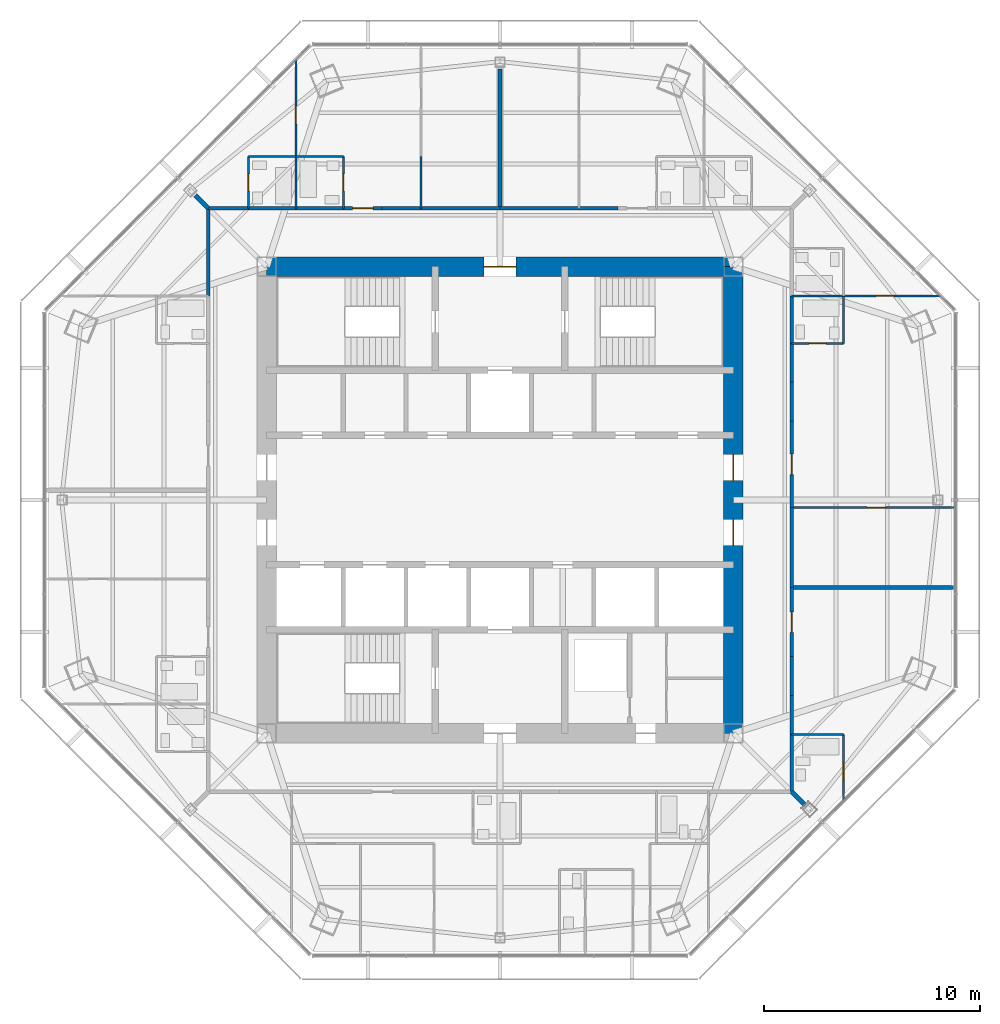
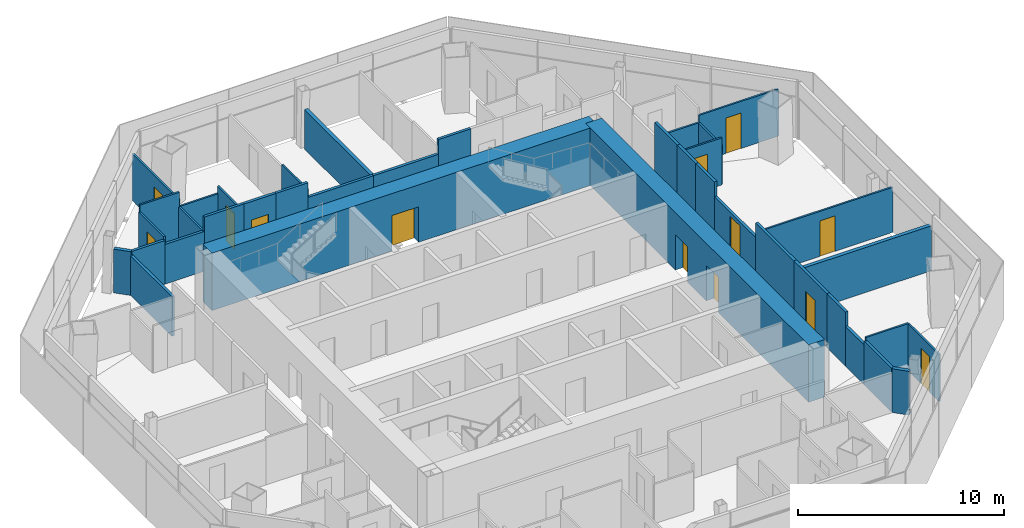
# One storey, part 11 of 14: 38 walls, 13 doors, 13 openings.
"""IFC4 building model written with IfcOpenShell, lengths in metres."""

from ifc_helpers import new_model, si_unit, direction, frame, frame_2d, origin, place, context, subcontext, project, spatial, rectangle, extrude, material, layer, layer_set, type_object, element, fill, save


model = new_model("IFC4")

# Units and contexts
model_context = context("Model", 3, precision=1e-05, world=origin(), true_north=direction((0.0, 1.0)))
body_context = subcontext(model_context, "Body", "Model", "MODEL_VIEW")
ifc_project = project(units=[si_unit("LENGTHUNIT", "METRE"), si_unit("AREAUNIT", "SQUARE_METRE"), si_unit("VOLUMEUNIT", "CUBIC_METRE"), si_unit("PLANEANGLEUNIT", "RADIAN"), si_unit("MASSUNIT", "GRAM", prefix="KILO")], contexts=[model_context])

# Site, building, storey
site_placement = place(None, origin())
site = spatial("IfcSite", under=ifc_project, at=site_placement, CompositionType="ELEMENT")
building_placement = place(site_placement, origin())
building = spatial("IfcBuilding", under=site, at=building_placement, Name="Mashrafa Tower", CompositionType="ELEMENT")
storey_placement = place(building_placement, frame((0.0, 0.0, 244.800048828125)))
storey = spatial("IfcBuildingStorey", under=building, at=storey_placement, Name="L58", CompositionType="ELEMENT", Elevation=244.800048828125)

# Walls
ifc_material_1 = material(Name="Gypsum board on steel studs", Category="steel")
ifc_layer_1 = layer(ifc_material_1, 0.199951171875)
ifc_layer_set_1 = layer_set([ifc_layer_1], Name="Acoustic partition 200 1 hr")
wall_type_1 = type_object("IfcWallType", Name="Acoustic partition 200 1 hr", PredefinedType="PARTITIONING", material=ifc_layer_set_1)
wall_1_placement = place(storey_placement, frame((13.5, -13.5, 0.0), z_axis=(0.0, 0.0, 1.0), x_axis=(0.707106781187, -0.707106781187, 0.0)))
element("IfcWall", 1, at=wall_1_placement, inside=storey, type_object=wall_type_1, Name="Acoustic wall L58-044", PredefinedType="PARTITIONING", context=body_context, shape_type="SweptSolid", body=[
    extrude(rectangle(XDim=0.857666015625, YDim=0.199951171875, at=frame_2d((0.4287109375, 0.0))), origin(), (0.0, 0.0, 1.0), 2.587890625),
])
wall_2_placement = place(storey_placement, frame((21.07177734375, -4.050048828125, 0.0), z_axis=(0.0, 0.0, 1.0), x_axis=(-1.0, 0.0, 0.0)))
element("IfcWall", 2, at=wall_2_placement, inside=storey, type_object=wall_type_1, Name="Acoustic wall L58-045", PredefinedType="PARTITIONING", context=body_context, shape_type="SweptSolid", body=[
    extrude(rectangle(XDim=7.57177734375, YDim=0.199951171875, at=frame_2d((3.785888671875, 0.0))), origin(), (0.0, 0.0, 1.0), 2.66162109375),
])
wall_3_placement = place(storey_placement, frame((0.0, 19.949462890625, 0.0), z_axis=(0.0, 0.0, 1.0), x_axis=(0.0, -1.0, 0.0)))
element("IfcWall", 3, at=wall_3_placement, inside=storey, type_object=wall_type_1, Name="Acoustic wall L58-062", PredefinedType="PARTITIONING", context=body_context, shape_type="SweptSolid", body=[
    extrude(rectangle(XDim=6.449462890625, YDim=0.199951171875, at=frame_2d((3.224609375, 0.0))), origin(), (0.0, 0.0, 1.0), 2.33154296875),
])
wall_4_placement = place(storey_placement, frame((-14.1064453125, 14.1064453125, 0.0), z_axis=(0.0, 0.0, 1.0), x_axis=(0.707106781187, -0.707106781187, 0.0)))
element("IfcWall", 4, at=wall_4_placement, inside=storey, type_object=wall_type_1, Name="Acoustic wall L58-067", PredefinedType="PARTITIONING", context=body_context, shape_type="SweptSolid", body=[
    extrude(rectangle(XDim=0.857666015625, YDim=0.199951171875, at=frame_2d((0.4287109375, 0.0))), origin(), (0.0, 0.0, 1.0), 2.587890625),
])

# Wall, openings, doors
ifc_material_2 = material(Name="Concrete C50/60", Category="concrete")
ifc_layer_2 = layer(ifc_material_2, 0.89990234375)
ifc_layer_set_2 = layer_set([ifc_layer_2], Name="Core wall 900 C50/60")
wall_type_2 = type_object("IfcWallType", Name="Core wall 900 C50/60", PredefinedType="SOLIDWALL", material=ifc_layer_set_2)
wall_5_placement = place(storey_placement, frame((10.800048828125, -10.800048828125, 0.0), z_axis=(0.0, 0.0, 1.0), x_axis=(0.0, 1.0, 0.0)))
wall_5 = element("IfcWall", 5, at=wall_5_placement, inside=storey, type_object=wall_type_2, Name="Core wall CW-E L58", PredefinedType="SOLIDWALL", context=body_context, shape_type="SweptSolid", body=[
    extrude(rectangle(XDim=21.60009765625, YDim=0.89990234375, at=frame_2d((10.800048828125, 0.0))), origin(), (0.0, 0.0, 1.0), 3.39990234375),
])
opening_1_placement = place(wall_5_placement, frame((11.699951171875, 0.0, 0.0)))
opening_1 = element("IfcOpeningElement", 6, at=opening_1_placement, cuts=wall_5, Name="Opening 58.036", PredefinedType="OPENING", context=body_context, shape_type="SweptSolid", body=[
    extrude(rectangle(XDim=1.199951171875, YDim=2.10009765625, at=frame_2d((0.60009765625, 1.050048828125))), frame((0.0, 0.4599609375, 0.0), z_axis=(0.0, -1.0, 0.0), x_axis=(1.0, 0.0, 0.0)), (0.0, 0.0, 1.0), 0.919921875),
])
opening_2_placement = place(wall_5_placement, frame((8.699951171875, 0.0, 0.0)))
opening_2 = element("IfcOpeningElement", 7, at=opening_2_placement, cuts=wall_5, Name="Opening 58.038", PredefinedType="OPENING", context=body_context, shape_type="SweptSolid", body=[
    extrude(rectangle(XDim=1.199951171875, YDim=2.10009765625, at=frame_2d((0.60009765625, 1.050048828125))), frame((0.0, 0.4599609375, 0.0), z_axis=(0.0, -1.0, 0.0), x_axis=(1.0, 0.0, 0.0)), (0.0, 0.0, 1.0), 0.919921875),
])
ifc_material_3 = material(Name="Steel door", Category="steel")
door_type_1 = type_object("IfcDoorType", Name="Lift hall door 1200 x 2100 90 min", OperationType="USERDEFINED", PredefinedType="DOOR", material=ifc_material_3)
door_1_placement = place(opening_1_placement, frame((1.199951171875, 0.0, 0.0), z_axis=(0.0, 0.0, 1.0), x_axis=(-1.0, 0.0, 0.0)))
door_1 = element("IfcDoor", 8, at=door_1_placement, inside=storey, type_object=door_type_1, Name="Lift hall door east L58", OperationType="SINGLE_SWING_LEFT", OverallHeight=2.10009765625, OverallWidth=1.199951171875, PredefinedType="DOOR", context=body_context, shape_type="SweptSolid", body=[
    extrude(rectangle(XDim=1.199951171875, YDim=2.10009765625, at=frame_2d((0.60009765625, 1.050048828125))), frame((0.0, 0.02490234375, 0.0), z_axis=(0.0, -1.0, 0.0), x_axis=(1.0, 0.0, 0.0)), (0.0, 0.0, 1.0), 0.050048828125),
])
fill(opening_1, door_1)
door_2_placement = place(opening_2_placement, frame((1.199951171875, 0.0, 0.0), z_axis=(0.0, 0.0, 1.0), x_axis=(-1.0, 0.0, 0.0)))
door_2 = element("IfcDoor", 9, at=door_2_placement, inside=storey, type_object=door_type_1, Name="Lift hall door east L58", OperationType="SINGLE_SWING_RIGHT", OverallHeight=2.10009765625, OverallWidth=1.199951171875, PredefinedType="DOOR", context=body_context, shape_type="SweptSolid", body=[
    extrude(rectangle(XDim=1.199951171875, YDim=2.10009765625, at=frame_2d((0.60009765625, 1.050048828125))), frame((0.0, 0.02490234375, 0.0), z_axis=(0.0, -1.0, 0.0), x_axis=(1.0, 0.0, 0.0)), (0.0, 0.0, 1.0), 0.050048828125),
])
fill(opening_2, door_2)

# Wall, opening, door
wall_6_placement = place(storey_placement, frame((10.800048828125, 10.800048828125, 0.0), z_axis=(0.0, 0.0, 1.0), x_axis=(-1.0, 0.0, 0.0)))
wall_6 = element("IfcWall", 10, at=wall_6_placement, inside=storey, type_object=wall_type_2, Name="Core wall CW-N L58", PredefinedType="SOLIDWALL", context=body_context, shape_type="SweptSolid", body=[
    extrude(rectangle(XDim=21.60009765625, YDim=0.89990234375, at=frame_2d((10.800048828125, 0.0))), origin(), (0.0, 0.0, 1.0), 3.39990234375),
])
opening_3_placement = place(wall_6_placement, frame((10.050048828125, 0.0, 0.0)))
opening_3 = element("IfcOpeningElement", 11, at=opening_3_placement, cuts=wall_6, Name="Opening 58.040", PredefinedType="OPENING", context=body_context, shape_type="SweptSolid", body=[
    extrude(rectangle(XDim=1.5, YDim=2.10009765625, at=frame_2d((0.75, 1.050048828125))), frame((0.0, 0.4599609375, 0.0), z_axis=(0.0, -1.0, 0.0), x_axis=(1.0, 0.0, 0.0)), (0.0, 0.0, 1.0), 0.919921875),
])
ifc_material_4 = material(Name="Steel door", Category="steel")
door_type_2 = type_object("IfcDoorType", Name="Lobby door pair 1500 x 2100 90 min", OperationType="DOUBLE_DOOR_SINGLE_SWING", PredefinedType="DOOR", material=ifc_material_4)
door_3_placement = place(opening_3_placement, origin())
door_3 = element("IfcDoor", 12, at=door_3_placement, inside=storey, type_object=door_type_2, Name="Fire-fighting lobby F1 door L58", OperationType="DOUBLE_DOOR_SINGLE_SWING", OverallHeight=2.10009765625, OverallWidth=1.5, PredefinedType="DOOR", context=body_context, shape_type="SweptSolid", body=[
    extrude(rectangle(XDim=1.5, YDim=2.10009765625, at=frame_2d((0.75, 1.050048828125))), frame((0.0, 0.02490234375, 0.0), z_axis=(0.0, -1.0, 0.0), x_axis=(1.0, 0.0, 0.0)), (0.0, 0.0, 1.0), 0.050048828125),
])
fill(opening_3, door_3)

# Walls
ifc_material_5 = material(Name="Gypsum board on steel studs", Category="steel")
ifc_layer_3 = layer(ifc_material_5, 0.14990234375)
ifc_layer_set_3 = layer_set([ifc_layer_3], Name="Corridor partition 150 1 hr")
wall_type_3 = type_object("IfcWallType", Name="Corridor partition 150 1 hr", PredefinedType="PARTITIONING", material=ifc_layer_set_3)
wall_7_placement = place(storey_placement, frame((13.5, -13.5, 0.0), z_axis=(0.0, 0.0, 1.0), x_axis=(0.0, 1.0, 0.0)))
element("IfcWall", 13, at=wall_7_placement, inside=storey, type_object=wall_type_3, Name="Corridor wall L58-001", PredefinedType="PARTITIONING", context=body_context, shape_type="SweptSolid", body=[
    extrude(rectangle(XDim=2.65087890625, YDim=0.14990234375, at=frame_2d((1.325439453125, 0.0))), origin(), (0.0, 0.0, 1.0), 2.587890625),
])
wall_8_placement = place(storey_placement, frame((13.5, -9.051025390625, 0.0), z_axis=(0.0, 0.0, 1.0), x_axis=(0.0, 1.0, 0.0)))
element("IfcWall", 14, at=wall_8_placement, inside=storey, type_object=wall_type_3, Name="Corridor wall L58-002", PredefinedType="PARTITIONING", context=body_context, shape_type="SweptSolid", body=[
    extrude(rectangle(XDim=1.802001953125, YDim=0.14990234375, at=frame_2d((0.90087890625, 0.0))), origin(), (0.0, 0.0, 1.0), 3.199951171875),
])
wall_9_placement = place(storey_placement, frame((13.5, -10.85107421875, 0.0), z_axis=(0.0, 0.0, 1.0), x_axis=(0.0, 1.0, 0.0)))
element("IfcWall", 15, at=wall_9_placement, inside=storey, type_object=wall_type_3, Name="Corridor wall L58-003", PredefinedType="PARTITIONING", context=body_context, shape_type="SweptSolid", body=[
    extrude(rectangle(XDim=1.802001953125, YDim=0.14990234375, at=frame_2d((0.90087890625, 0.0))), origin(), (0.0, 0.0, 1.0), 2.349365234375),
])

# Wall, opening, door
wall_10_placement = place(storey_placement, frame((13.5, -7.2509765625, 0.0), z_axis=(0.0, 0.0, 1.0), x_axis=(0.0, 1.0, 0.0)))
wall_10 = element("IfcWall", 16, at=wall_10_placement, inside=storey, type_object=wall_type_3, Name="Corridor wall L58-004", PredefinedType="PARTITIONING", context=body_context, shape_type="SweptSolid", body=[
    extrude(rectangle(XDim=3.201904296875, YDim=0.14990234375, at=frame_2d((1.60107421875, 0.0))), origin(), (0.0, 0.0, 1.0), 3.199951171875),
])
opening_4_placement = place(wall_10_placement, frame((1.1259765625, 0.0, 0.0)))
opening_4 = element("IfcOpeningElement", 17, at=opening_4_placement, cuts=wall_10, Name="Opening 58.002", PredefinedType="OPENING", context=body_context, shape_type="SweptSolid", body=[
    extrude(rectangle(XDim=0.949951171875, YDim=2.10009765625, at=frame_2d((0.47509765625, 1.050048828125))), frame((0.0, 0.0849609375, 0.0), z_axis=(0.0, -1.0, 0.0), x_axis=(1.0, 0.0, 0.0)), (0.0, 0.0, 1.0), 0.169921875),
])
ifc_material_6 = material(Name="Steel door", Category="steel")
door_type_3 = type_object("IfcDoorType", Name="Residence entrance door 950 x 2100 20 min", OperationType="USERDEFINED", PredefinedType="DOOR", material=ifc_material_6)
door_4_placement = place(opening_4_placement, frame((0.949951171875, 0.0, 0.0), z_axis=(0.0, 0.0, 1.0), x_axis=(-1.0, 0.0, 0.0)))
door_4 = element("IfcDoor", 18, at=door_4_placement, inside=storey, type_object=door_type_3, Name="Apartment 5801 Studio Living Room door", OperationType="SINGLE_SWING_LEFT", OverallHeight=2.10009765625, OverallWidth=0.949951171875, PredefinedType="DOOR", context=body_context, shape_type="SweptSolid", body=[
    extrude(rectangle(XDim=0.949951171875, YDim=2.10009765625, at=frame_2d((0.47509765625, 1.050048828125))), frame((0.0, 0.02490234375, 0.0), z_axis=(0.0, -1.0, 0.0), x_axis=(1.0, 0.0, 0.0)), (0.0, 0.0, 1.0), 0.050048828125),
])
fill(opening_4, door_4)

# Walls
wall_11_placement = place(storey_placement, frame((13.5, 7.2490234375, 0.0), z_axis=(0.0, 0.0, 1.0), x_axis=(0.0, 1.0, 0.0)))
element("IfcWall", 19, at=wall_11_placement, inside=storey, type_object=wall_type_3, Name="Corridor wall L58-007", PredefinedType="PARTITIONING", context=body_context, shape_type="SweptSolid", body=[
    extrude(rectangle(XDim=2.201904296875, YDim=0.14990234375, at=frame_2d((1.10107421875, 0.0))), origin(), (0.0, 0.0, 1.0), 3.199951171875),
])
wall_12_placement = place(storey_placement, frame((13.5, 3.64892578125, 0.0), z_axis=(0.0, 0.0, 1.0), x_axis=(0.0, 1.0, 0.0)))
element("IfcWall", 20, at=wall_12_placement, inside=storey, type_object=wall_type_3, Name="Corridor wall L58-008", PredefinedType="PARTITIONING", context=body_context, shape_type="SweptSolid", body=[
    extrude(rectangle(XDim=1.802001953125, YDim=0.14990234375, at=frame_2d((0.90087890625, 0.0))), origin(), (0.0, 0.0, 1.0), 3.199951171875),
])
wall_13_placement = place(storey_placement, frame((13.5, -4.051025390625, 0.0), z_axis=(0.0, 0.0, 1.0), x_axis=(0.0, 1.0, 0.0)))
element("IfcWall", 21, at=wall_13_placement, inside=storey, type_object=wall_type_3, Name="Corridor wall L58-009", PredefinedType="PARTITIONING", context=body_context, shape_type="SweptSolid", body=[
    extrude(rectangle(XDim=3.701904296875, YDim=0.14990234375, at=frame_2d((1.85107421875, 0.0))), origin(), (0.0, 0.0, 1.0), 3.199951171875),
])

# Wall, opening, door
wall_14_placement = place(storey_placement, frame((13.5, -0.35107421875, 0.0), z_axis=(0.0, 0.0, 1.0), x_axis=(0.0, 1.0, 0.0)))
wall_14 = element("IfcWall", 22, at=wall_14_placement, inside=storey, type_object=wall_type_3, Name="Corridor wall L58-010", PredefinedType="PARTITIONING", context=body_context, shape_type="SweptSolid", body=[
    extrude(rectangle(XDim=4.001953125, YDim=0.14990234375, at=frame_2d((2.0009765625, 0.0))), origin(), (0.0, 0.0, 1.0), 2.33154296875),
])
opening_5_placement = place(wall_14_placement, frame((1.52587890625, 0.0, 0.0)))
opening_5 = element("IfcOpeningElement", 23, at=opening_5_placement, cuts=wall_14, Name="Opening 58.007", PredefinedType="OPENING", context=body_context, shape_type="SweptSolid", body=[
    extrude(rectangle(XDim=0.949951171875, YDim=2.10009765625, at=frame_2d((0.47509765625, 1.050048828125))), frame((0.0, 0.0849609375, 0.0), z_axis=(0.0, -1.0, 0.0), x_axis=(1.0, 0.0, 0.0)), (0.0, 0.0, 1.0), 0.169921875),
])
door_5_placement = place(opening_5_placement, frame((0.949951171875, 0.0, 0.0), z_axis=(0.0, 0.0, 1.0), x_axis=(-1.0, 0.0, 0.0)))
door_5 = element("IfcDoor", 24, at=door_5_placement, inside=storey, type_object=door_type_3, Name="Apartment 5802 Living Room door", OperationType="SINGLE_SWING_RIGHT", OverallHeight=2.10009765625, OverallWidth=0.949951171875, PredefinedType="DOOR", context=body_context, shape_type="SweptSolid", body=[
    extrude(rectangle(XDim=0.949951171875, YDim=2.10009765625, at=frame_2d((0.47509765625, 1.050048828125))), frame((0.0, 0.02490234375, 0.0), z_axis=(0.0, -1.0, 0.0), x_axis=(1.0, 0.0, 0.0)), (0.0, 0.0, 1.0), 0.050048828125),
])
fill(opening_5, door_5)

# Walls
for number, where, z_axis, x_axis, name in (
    (25, (13.5, 5.448974609375, 0.0), (0.0, 0.0, 1.0), (0.0, 1.0, 0.0), "Corridor wall L58-011"),
    (26, (5.450927734375, 13.5, 0.0), (0.0, 0.0, 1.0), (-1.0, 0.0, 0.0), "Corridor wall L58-015"),
):
    element("IfcWall", number, at=place(storey_placement, frame(where, z_axis=z_axis, x_axis=x_axis)), inside=storey, type_object=wall_type_3, Name=name, PredefinedType="PARTITIONING", context=body_context, shape_type="SweptSolid", body=[
        extrude(rectangle(XDim=1.802001953125, YDim=0.14990234375, at=frame_2d((0.90087890625, 0.0))), origin(), (0.0, 0.0, 1.0), 3.199951171875),
    ])
wall_15_placement = place(storey_placement, frame((3.65087890625, 13.5, 0.0), z_axis=(0.0, 0.0, 1.0), x_axis=(-1.0, 0.0, 0.0)))
element("IfcWall", 27, at=wall_15_placement, inside=storey, type_object=wall_type_3, Name="Corridor wall L58-016", PredefinedType="PARTITIONING", context=body_context, shape_type="SweptSolid", body=[
    extrude(rectangle(XDim=3.65185546875, YDim=0.14990234375, at=frame_2d((1.825927734375, 0.0))), origin(), (0.0, 0.0, 1.0), 2.33154296875),
])
wall_16_placement = place(storey_placement, frame((-9.448974609375, 13.5, 0.0), z_axis=(0.0, 0.0, 1.0), x_axis=(-1.0, 0.0, 0.0)))
element("IfcWall", 28, at=wall_16_placement, inside=storey, type_object=wall_type_3, Name="Corridor wall L58-018", PredefinedType="PARTITIONING", context=body_context, shape_type="SweptSolid", body=[
    extrude(rectangle(XDim=2.201904296875, YDim=0.14990234375, at=frame_2d((1.10107421875, 0.0))), origin(), (0.0, 0.0, 1.0), 2.349365234375),
])
wall_17_placement = place(storey_placement, frame((-11.64892578125, 13.5, 0.0), z_axis=(0.0, 0.0, 1.0), x_axis=(-1.0, 0.0, 0.0)))
element("IfcWall", 29, at=wall_17_placement, inside=storey, type_object=wall_type_3, Name="Corridor wall L58-019", PredefinedType="PARTITIONING", context=body_context, shape_type="SweptSolid", body=[
    extrude(rectangle(XDim=1.85107421875, YDim=0.14990234375, at=frame_2d((0.925537109375, 0.0))), origin(), (0.0, 0.0, 1.0), 2.587890625),
])
wall_18_placement = place(storey_placement, frame((-7.2490234375, 13.5, 0.0), z_axis=(0.0, 0.0, 1.0), x_axis=(-1.0, 0.0, 0.0)))
element("IfcWall", 30, at=wall_18_placement, inside=storey, type_object=wall_type_3, Name="Corridor wall L58-020", PredefinedType="PARTITIONING", context=body_context, shape_type="SweptSolid", body=[
    extrude(rectangle(XDim=2.201904296875, YDim=0.14990234375, at=frame_2d((1.10107421875, 0.0))), origin(), (0.0, 0.0, 1.0), 3.199951171875),
])
wall_19_placement = place(storey_placement, frame((-3.64892578125, 13.5, 0.0), z_axis=(0.0, 0.0, 1.0), x_axis=(-1.0, 0.0, 0.0)))
element("IfcWall", 31, at=wall_19_placement, inside=storey, type_object=wall_type_3, Name="Corridor wall L58-021", PredefinedType="PARTITIONING", context=body_context, shape_type="SweptSolid", body=[
    extrude(rectangle(XDim=1.802001953125, YDim=0.14990234375, at=frame_2d((0.90087890625, 0.0))), origin(), (0.0, 0.0, 1.0), 3.199951171875),
])
wall_20_placement = place(storey_placement, frame((0.0009765625, 13.5, 0.0), z_axis=(0.0, 0.0, 1.0), x_axis=(-1.0, 0.0, 0.0)))
element("IfcWall", 32, at=wall_20_placement, inside=storey, type_object=wall_type_3, Name="Corridor wall L58-022", PredefinedType="PARTITIONING", context=body_context, shape_type="SweptSolid", body=[
    extrude(rectangle(XDim=3.65185546875, YDim=0.14990234375, at=frame_2d((1.825927734375, 0.0))), origin(), (0.0, 0.0, 1.0), 2.33154296875),
])

# Wall, opening, door
wall_21_placement = place(storey_placement, frame((-5.448974609375, 13.5, 0.0), z_axis=(0.0, 0.0, 1.0), x_axis=(-1.0, 0.0, 0.0)))
wall_21 = element("IfcWall", 33, at=wall_21_placement, inside=storey, type_object=wall_type_3, Name="Corridor wall L58-023", PredefinedType="PARTITIONING", context=body_context, shape_type="SweptSolid", body=[
    extrude(rectangle(XDim=1.802001953125, YDim=0.14990234375, at=frame_2d((0.90087890625, 0.0))), origin(), (0.0, 0.0, 1.0), 3.199951171875),
])
opening_6_placement = place(wall_21_placement, frame((0.426025390625, 0.0, 0.0)))
opening_6 = element("IfcOpeningElement", 34, at=opening_6_placement, cuts=wall_21, Name="Opening 58.017", PredefinedType="OPENING", context=body_context, shape_type="SweptSolid", body=[
    extrude(rectangle(XDim=0.949951171875, YDim=2.10009765625, at=frame_2d((0.47509765625, 1.050048828125))), frame((0.0, 0.0849609375, 0.0), z_axis=(0.0, -1.0, 0.0), x_axis=(1.0, 0.0, 0.0)), (0.0, 0.0, 1.0), 0.169921875),
])
door_6_placement = place(opening_6_placement, frame((0.949951171875, 0.0, 0.0), z_axis=(0.0, 0.0, 1.0), x_axis=(-1.0, 0.0, 0.0)))
door_6 = element("IfcDoor", 35, at=door_6_placement, inside=storey, type_object=door_type_3, Name="Apartment 5804 Living Room door", OperationType="SINGLE_SWING_RIGHT", OverallHeight=2.10009765625, OverallWidth=0.949951171875, PredefinedType="DOOR", context=body_context, shape_type="SweptSolid", body=[
    extrude(rectangle(XDim=0.949951171875, YDim=2.10009765625, at=frame_2d((0.47509765625, 1.050048828125))), frame((0.0, 0.02490234375, 0.0), z_axis=(0.0, -1.0, 0.0), x_axis=(1.0, 0.0, 0.0)), (0.0, 0.0, 1.0), 0.050048828125),
])
fill(opening_6, door_6)

# Wall
wall_22_placement = place(storey_placement, frame((-13.5, 13.5, 0.0), z_axis=(0.0, 0.0, 1.0), x_axis=(0.0, -1.0, 0.0)))
element("IfcWall", 36, at=wall_22_placement, inside=storey, type_object=wall_type_3, Name="Corridor wall L58-024", PredefinedType="PARTITIONING", context=body_context, shape_type="SweptSolid", body=[
    extrude(rectangle(XDim=4.051025390625, YDim=0.14990234375, at=frame_2d((2.025390625, 0.0))), origin(), (0.0, 0.0, 1.0), 2.349365234375),
])

# Wall, opening, door
ifc_material_7 = material(Name="Gypsum board on steel studs", Category="steel")
ifc_layer_4 = layer(ifc_material_7, 0.10009765625)
ifc_layer_set_4 = layer_set([ifc_layer_4], Name="Partition 100")
wall_type_4 = type_object("IfcWallType", Name="Partition 100", PredefinedType="PARTITIONING", material=ifc_layer_set_4)
wall_23_placement = place(storey_placement, frame((15.89990234375, -13.903564453125, 0.0), z_axis=(0.0, 0.0, 1.0), x_axis=(0.0, 1.0, 0.0)))
wall_23 = element("IfcWall", 37, at=wall_23_placement, inside=storey, type_object=wall_type_4, Name="Partition wall L58-042", PredefinedType="PARTITIONING", context=body_context, shape_type="SweptSolid", body=[
    extrude(rectangle(XDim=3.053466796875, YDim=0.10009765625, at=frame_2d((1.52685546875, 0.0))), origin(), (0.0, 0.0, 1.0), 2.783447265625),
])
opening_7_placement = place(wall_23_placement, frame((0.929931640625, 0.0, 0.0)))
opening_7 = element("IfcOpeningElement", 38, at=opening_7_placement, cuts=wall_23, Name="Opening 58.001", PredefinedType="OPENING", context=body_context, shape_type="SweptSolid", body=[
    extrude(rectangle(XDim=0.800048828125, YDim=2.10009765625, at=frame_2d((0.39990234375, 1.050048828125))), frame((0.0, 0.06005859375, 0.0), z_axis=(0.0, -1.0, 0.0), x_axis=(1.0, 0.0, 0.0)), (0.0, 0.0, 1.0), 0.1201171875),
])
ifc_material_8 = material(Name="Timber door", Category="wood")
door_type_4 = type_object("IfcDoorType", Name="Bathroom door 800 x 2100", OperationType="USERDEFINED", PredefinedType="DOOR", material=ifc_material_8)
door_7_placement = place(opening_7_placement, origin())
door_7 = element("IfcDoor", 39, at=door_7_placement, inside=storey, type_object=door_type_4, Name="Apartment 5801 Bathroom door", OperationType="SINGLE_SWING_LEFT", OverallHeight=2.10009765625, OverallWidth=0.800048828125, PredefinedType="DOOR", context=body_context, shape_type="SweptSolid", body=[
    extrude(rectangle(XDim=0.800048828125, YDim=2.10009765625, at=frame_2d((0.39990234375, 1.050048828125))), frame((0.0, 0.02490234375, 0.0), z_axis=(0.0, -1.0, 0.0), x_axis=(1.0, 0.0, 0.0)), (0.0, 0.0, 1.0), 0.050048828125),
])
fill(opening_7, door_7)

# Walls
wall_24_placement = place(storey_placement, frame((15.89990234375, -10.85009765625, 0.0), z_axis=(0.0, 0.0, 1.0), x_axis=(-1.0, 0.0, 0.0)))
element("IfcWall", 40, at=wall_24_placement, inside=storey, type_object=wall_type_4, Name="Partition wall L58-043", PredefinedType="PARTITIONING", context=body_context, shape_type="SweptSolid", body=[
    extrude(rectangle(XDim=2.39990234375, YDim=0.10009765625, at=frame_2d((1.199951171875, 0.0))), origin(), (0.0, 0.0, 1.0), 2.7861328125),
])
wall_25_placement = place(storey_placement, frame((13.5, 9.449951171875, 0.0), z_axis=(0.0, 0.0, 1.0), x_axis=(1.0, 0.0, 0.0)))
element("IfcWall", 41, at=wall_25_placement, inside=storey, type_object=wall_type_4, Name="Partition wall L58-048", PredefinedType="PARTITIONING", context=body_context, shape_type="SweptSolid", body=[
    extrude(rectangle(XDim=2.39990234375, YDim=0.10009765625, at=frame_2d((1.199951171875, 0.0))), origin(), (0.0, 0.0, 1.0), 2.349365234375),
])

# Wall, opening, door
wall_26_placement = place(storey_placement, frame((15.89990234375, 9.449951171875, 0.0), z_axis=(0.0, 0.0, 1.0), x_axis=(1.0, 0.0, 0.0)))
wall_26 = element("IfcWall", 42, at=wall_26_placement, inside=storey, type_object=wall_type_4, Name="Partition wall L58-049", PredefinedType="PARTITIONING", context=body_context, shape_type="SweptSolid", body=[
    extrude(rectangle(XDim=4.45361328125, YDim=0.10009765625, at=frame_2d((2.226806640625, 0.0))), origin(), (0.0, 0.0, 1.0), 2.783447265625),
])
opening_8_placement = place(wall_26_placement, frame((1.494384765625, 0.0, 0.0)))
opening_8 = element("IfcOpeningElement", 43, at=opening_8_placement, cuts=wall_26, Name="Opening 58.004", PredefinedType="OPENING", context=body_context, shape_type="SweptSolid", body=[
    extrude(rectangle(XDim=0.85009765625, YDim=2.10009765625, at=frame_2d((0.425048828125, 1.050048828125))), frame((0.0, 0.06005859375, 0.0), z_axis=(0.0, -1.0, 0.0), x_axis=(1.0, 0.0, 0.0)), (0.0, 0.0, 1.0), 0.1201171875),
])
ifc_material_9 = material(Name="Timber door", Category="wood")
door_type_5 = type_object("IfcDoorType", Name="Bedroom door 850 x 2100", OperationType="USERDEFINED", PredefinedType="DOOR", material=ifc_material_9)
door_8_placement = place(opening_8_placement, origin())
door_8 = element("IfcDoor", 44, at=door_8_placement, inside=storey, type_object=door_type_5, Name="Apartment 5802 Bedroom 1 door", OperationType="SINGLE_SWING_RIGHT", OverallHeight=2.10009765625, OverallWidth=0.85009765625, PredefinedType="DOOR", context=body_context, shape_type="SweptSolid", body=[
    extrude(rectangle(XDim=0.85009765625, YDim=2.10009765625, at=frame_2d((0.425048828125, 1.050048828125))), frame((0.0, 0.02490234375, 0.0), z_axis=(0.0, -1.0, 0.0), x_axis=(1.0, 0.0, 0.0)), (0.0, 0.0, 1.0), 0.050048828125),
])
fill(opening_8, door_8)

wall_27_placement = place(storey_placement, frame((13.5, 7.25, 0.0), z_axis=(0.0, 0.0, 1.0), x_axis=(1.0, 0.0, 0.0)))
wall_27 = element("IfcWall", 45, at=wall_27_placement, inside=storey, type_object=wall_type_4, Name="Partition wall L58-051", PredefinedType="PARTITIONING", context=body_context, shape_type="SweptSolid", body=[
    extrude(rectangle(XDim=2.39990234375, YDim=0.10009765625, at=frame_2d((1.199951171875, 0.0))), origin(), (0.0, 0.0, 1.0), 2.783447265625),
])
opening_9_placement = place(wall_27_placement, frame((0.800048828125, 0.0, 0.0)))
opening_9 = element("IfcOpeningElement", 46, at=opening_9_placement, cuts=wall_27, Name="Opening 58.005", PredefinedType="OPENING", context=body_context, shape_type="SweptSolid", body=[
    extrude(rectangle(XDim=0.800048828125, YDim=2.10009765625, at=frame_2d((0.39990234375, 1.050048828125))), frame((0.0, 0.06005859375, 0.0), z_axis=(0.0, -1.0, 0.0), x_axis=(1.0, 0.0, 0.0)), (0.0, 0.0, 1.0), 0.1201171875),
])
door_9_placement = place(opening_9_placement, origin())
door_9 = element("IfcDoor", 47, at=door_9_placement, inside=storey, type_object=door_type_4, Name="Apartment 5802 Bathroom door", OperationType="SINGLE_SWING_RIGHT", OverallHeight=2.10009765625, OverallWidth=0.800048828125, PredefinedType="DOOR", context=body_context, shape_type="SweptSolid", body=[
    extrude(rectangle(XDim=0.800048828125, YDim=2.10009765625, at=frame_2d((0.39990234375, 1.050048828125))), frame((0.0, 0.02490234375, 0.0), z_axis=(0.0, -1.0, 0.0), x_axis=(1.0, 0.0, 0.0)), (0.0, 0.0, 1.0), 0.050048828125),
])
fill(opening_9, door_9)

# Wall
wall_28_placement = place(storey_placement, frame((15.89990234375, 7.25, 0.0), z_axis=(0.0, 0.0, 1.0), x_axis=(0.0, 1.0, 0.0)))
element("IfcWall", 48, at=wall_28_placement, inside=storey, type_object=wall_type_4, Name="Partition wall L58-052", PredefinedType="PARTITIONING", context=body_context, shape_type="SweptSolid", body=[
    extrude(rectangle(XDim=2.199951171875, YDim=0.10009765625, at=frame_2d((1.10009765625, 0.0))), origin(), (0.0, 0.0, 1.0), 2.349365234375),
])

# Wall, opening, door
wall_29_placement = place(storey_placement, frame((21.07373046875, -0.35009765625, 0.0), z_axis=(0.0, 0.0, 1.0), x_axis=(-1.0, 0.0, 0.0)))
wall_29 = element("IfcWall", 49, at=wall_29_placement, inside=storey, type_object=wall_type_4, Name="Partition wall L58-053", PredefinedType="PARTITIONING", context=body_context, shape_type="SweptSolid", body=[
    extrude(rectangle(XDim=7.57373046875, YDim=0.10009765625, at=frame_2d((3.786865234375, 0.0))), origin(), (0.0, 0.0, 1.0), 2.66162109375),
])
opening_10_placement = place(wall_29_placement, frame((3.223876953125, 0.0, 0.0)))
opening_10 = element("IfcOpeningElement", 50, at=opening_10_placement, cuts=wall_29, Name="Opening 58.006", PredefinedType="OPENING", context=body_context, shape_type="SweptSolid", body=[
    extrude(rectangle(XDim=0.85009765625, YDim=2.10009765625, at=frame_2d((0.425048828125, 1.050048828125))), frame((0.0, 0.06005859375, 0.0), z_axis=(0.0, -1.0, 0.0), x_axis=(1.0, 0.0, 0.0)), (0.0, 0.0, 1.0), 0.1201171875),
])
door_10_placement = place(opening_10_placement, origin())
door_10 = element("IfcDoor", 51, at=door_10_placement, inside=storey, type_object=door_type_5, Name="Apartment 5802 Bedroom 2 door", OperationType="SINGLE_SWING_LEFT", OverallHeight=2.10009765625, OverallWidth=0.85009765625, PredefinedType="DOOR", context=body_context, shape_type="SweptSolid", body=[
    extrude(rectangle(XDim=0.85009765625, YDim=2.10009765625, at=frame_2d((0.425048828125, 1.050048828125))), frame((0.0, 0.02490234375, 0.0), z_axis=(0.0, -1.0, 0.0), x_axis=(1.0, 0.0, 0.0)), (0.0, 0.0, 1.0), 0.050048828125),
])
fill(opening_10, door_10)

# Wall
wall_30_placement = place(storey_placement, frame((-9.449951171875, 15.89990234375, 0.0), z_axis=(0.0, 0.0, 1.0), x_axis=(-1.0, 0.0, 0.0)))
element("IfcWall", 52, at=wall_30_placement, inside=storey, type_object=wall_type_4, Name="Partition wall L58-063", PredefinedType="PARTITIONING", context=body_context, shape_type="SweptSolid", body=[
    extrude(rectangle(XDim=2.199951171875, YDim=0.10009765625, at=frame_2d((1.10009765625, 0.0))), origin(), (0.0, 0.0, 1.0), 3.199951171875),
])

# Wall, opening, door
wall_31_placement = place(storey_placement, frame((-11.64990234375, 15.89990234375, 0.0), z_axis=(0.0, 0.0, 1.0), x_axis=(0.0, -1.0, 0.0)))
wall_31 = element("IfcWall", 53, at=wall_31_placement, inside=storey, type_object=wall_type_4, Name="Partition wall L58-064", PredefinedType="PARTITIONING", context=body_context, shape_type="SweptSolid", body=[
    extrude(rectangle(XDim=2.39990234375, YDim=0.10009765625, at=frame_2d((1.199951171875, 0.0))), origin(), (0.0, 0.0, 1.0), 2.7861328125),
])
opening_11_placement = place(wall_31_placement, frame((0.800048828125, 0.0, 0.0)))
opening_11 = element("IfcOpeningElement", 54, at=opening_11_placement, cuts=wall_31, Name="Opening 58.013", PredefinedType="OPENING", context=body_context, shape_type="SweptSolid", body=[
    extrude(rectangle(XDim=0.800048828125, YDim=2.10009765625, at=frame_2d((0.39990234375, 1.050048828125))), frame((0.0, 0.06005859375, 0.0), z_axis=(0.0, -1.0, 0.0), x_axis=(1.0, 0.0, 0.0)), (0.0, 0.0, 1.0), 0.1201171875),
])
door_11_placement = place(opening_11_placement, origin())
door_11 = element("IfcDoor", 55, at=door_11_placement, inside=storey, type_object=door_type_4, Name="Apartment 5804 En-suite Bathroom door", OperationType="SINGLE_SWING_LEFT", OverallHeight=2.10009765625, OverallWidth=0.800048828125, PredefinedType="DOOR", context=body_context, shape_type="SweptSolid", body=[
    extrude(rectangle(XDim=0.800048828125, YDim=2.10009765625, at=frame_2d((0.39990234375, 1.050048828125))), frame((0.0, 0.02490234375, 0.0), z_axis=(0.0, -1.0, 0.0), x_axis=(1.0, 0.0, 0.0)), (0.0, 0.0, 1.0), 0.050048828125),
])
fill(opening_11, door_11)

# Wall
wall_32_placement = place(storey_placement, frame((-9.449951171875, 13.5, 0.0), z_axis=(0.0, 0.0, 1.0), x_axis=(0.0, 1.0, 0.0)))
element("IfcWall", 56, at=wall_32_placement, inside=storey, type_object=wall_type_4, Name="Partition wall L58-065", PredefinedType="PARTITIONING", context=body_context, shape_type="SweptSolid", body=[
    extrude(rectangle(XDim=2.39990234375, YDim=0.10009765625, at=frame_2d((1.199951171875, 0.0))), origin(), (0.0, 0.0, 1.0), 2.349365234375),
])

# Wall, opening, door
wall_33_placement = place(storey_placement, frame((-9.449951171875, 15.89990234375, 0.0), z_axis=(0.0, 0.0, 1.0), x_axis=(0.0, 1.0, 0.0)))
wall_33 = element("IfcWall", 57, at=wall_33_placement, inside=storey, type_object=wall_type_4, Name="Partition wall L58-066", PredefinedType="PARTITIONING", context=body_context, shape_type="SweptSolid", body=[
    extrude(rectangle(XDim=4.45361328125, YDim=0.10009765625, at=frame_2d((2.226806640625, 0.0))), origin(), (0.0, 0.0, 1.0), 2.783447265625),
])
opening_12_placement = place(wall_33_placement, frame((1.494384765625, 0.0, 0.0)))
opening_12 = element("IfcOpeningElement", 58, at=opening_12_placement, cuts=wall_33, Name="Opening 58.014", PredefinedType="OPENING", context=body_context, shape_type="SweptSolid", body=[
    extrude(rectangle(XDim=0.85009765625, YDim=2.10009765625, at=frame_2d((0.425048828125, 1.050048828125))), frame((0.0, 0.06005859375, 0.0), z_axis=(0.0, -1.0, 0.0), x_axis=(1.0, 0.0, 0.0)), (0.0, 0.0, 1.0), 0.1201171875),
])
door_12_placement = place(opening_12_placement, origin())
door_12 = element("IfcDoor", 59, at=door_12_placement, inside=storey, type_object=door_type_5, Name="Apartment 5804 Bedroom 1 door", OperationType="SINGLE_SWING_RIGHT", OverallHeight=2.10009765625, OverallWidth=0.85009765625, PredefinedType="DOOR", context=body_context, shape_type="SweptSolid", body=[
    extrude(rectangle(XDim=0.85009765625, YDim=2.10009765625, at=frame_2d((0.425048828125, 1.050048828125))), frame((0.0, 0.02490234375, 0.0), z_axis=(0.0, -1.0, 0.0), x_axis=(1.0, 0.0, 0.0)), (0.0, 0.0, 1.0), 0.050048828125),
])
fill(opening_12, door_12)

wall_34_placement = place(storey_placement, frame((-7.25, 13.5, 0.0), z_axis=(0.0, 0.0, 1.0), x_axis=(0.0, 1.0, 0.0)))
wall_34 = element("IfcWall", 60, at=wall_34_placement, inside=storey, type_object=wall_type_4, Name="Partition wall L58-068", PredefinedType="PARTITIONING", context=body_context, shape_type="SweptSolid", body=[
    extrude(rectangle(XDim=2.39990234375, YDim=0.10009765625, at=frame_2d((1.199951171875, 0.0))), origin(), (0.0, 0.0, 1.0), 2.783447265625),
])
opening_13_placement = place(wall_34_placement, frame((0.800048828125, 0.0, 0.0)))
opening_13 = element("IfcOpeningElement", 61, at=opening_13_placement, cuts=wall_34, Name="Opening 58.015", PredefinedType="OPENING", context=body_context, shape_type="SweptSolid", body=[
    extrude(rectangle(XDim=0.800048828125, YDim=2.10009765625, at=frame_2d((0.39990234375, 1.050048828125))), frame((0.0, 0.06005859375, 0.0), z_axis=(0.0, -1.0, 0.0), x_axis=(1.0, 0.0, 0.0)), (0.0, 0.0, 1.0), 0.1201171875),
])
door_13_placement = place(opening_13_placement, origin())
door_13 = element("IfcDoor", 62, at=door_13_placement, inside=storey, type_object=door_type_4, Name="Apartment 5804 Bathroom door", OperationType="SINGLE_SWING_RIGHT", OverallHeight=2.10009765625, OverallWidth=0.800048828125, PredefinedType="DOOR", context=body_context, shape_type="SweptSolid", body=[
    extrude(rectangle(XDim=0.800048828125, YDim=2.10009765625, at=frame_2d((0.39990234375, 1.050048828125))), frame((0.0, 0.02490234375, 0.0), z_axis=(0.0, -1.0, 0.0), x_axis=(1.0, 0.0, 0.0)), (0.0, 0.0, 1.0), 0.050048828125),
])
fill(opening_13, door_13)

# Walls
wall_35_placement = place(storey_placement, frame((-7.25, 15.89990234375, 0.0), z_axis=(0.0, 0.0, 1.0), x_axis=(-1.0, 0.0, 0.0)))
element("IfcWall", 63, at=wall_35_placement, inside=storey, type_object=wall_type_4, Name="Partition wall L58-069", PredefinedType="PARTITIONING", context=body_context, shape_type="SweptSolid", body=[
    extrude(rectangle(XDim=2.199951171875, YDim=0.10009765625, at=frame_2d((1.10009765625, 0.0))), origin(), (0.0, 0.0, 1.0), 2.349365234375),
])
wall_36_placement = place(storey_placement, frame((-3.64990234375, 13.5, 0.0), z_axis=(0.0, 0.0, 1.0), x_axis=(0.0, 1.0, 0.0)))
element("IfcWall", 64, at=wall_36_placement, inside=storey, type_object=wall_type_4, Name="Partition wall L58-070", PredefinedType="PARTITIONING", context=body_context, shape_type="SweptSolid", body=[
    extrude(rectangle(XDim=2.39990234375, YDim=0.10009765625, at=frame_2d((1.199951171875, 0.0))), origin(), (0.0, 0.0, 1.0), 2.783447265625),
])

save(model, "model.ifc")
